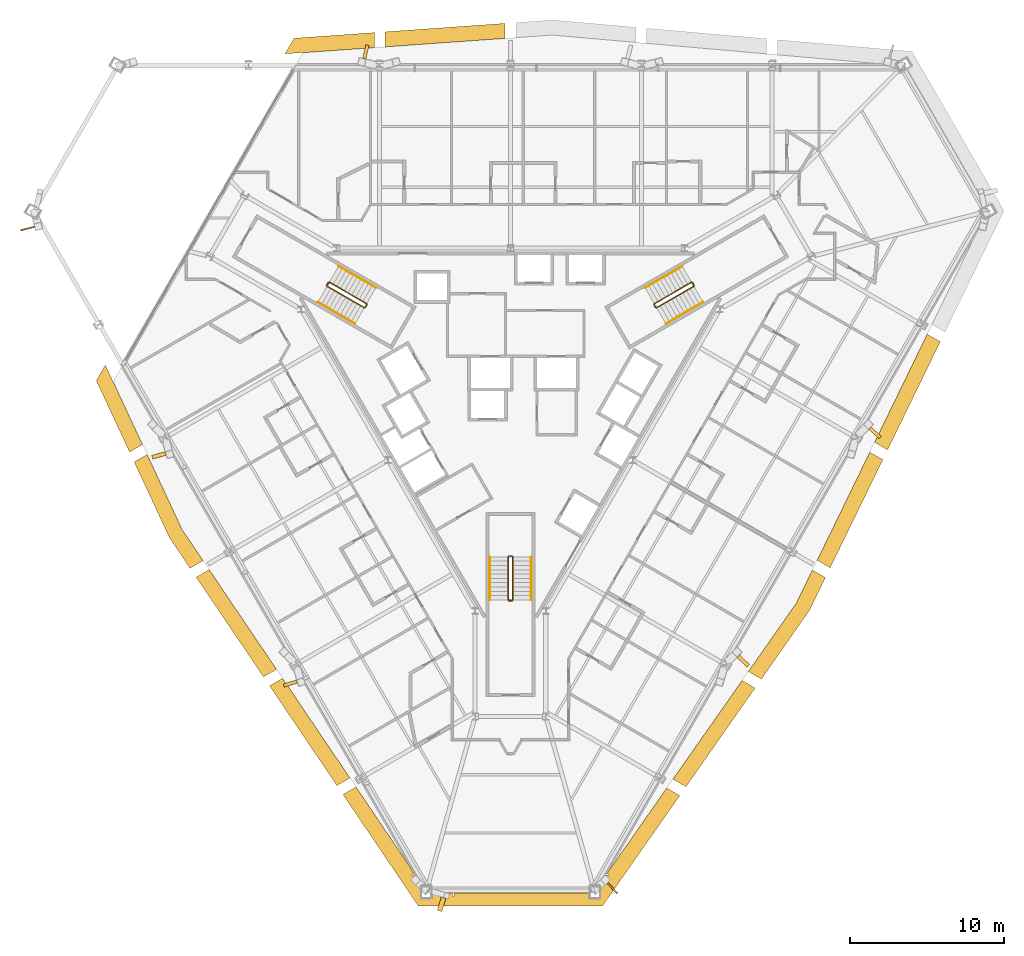
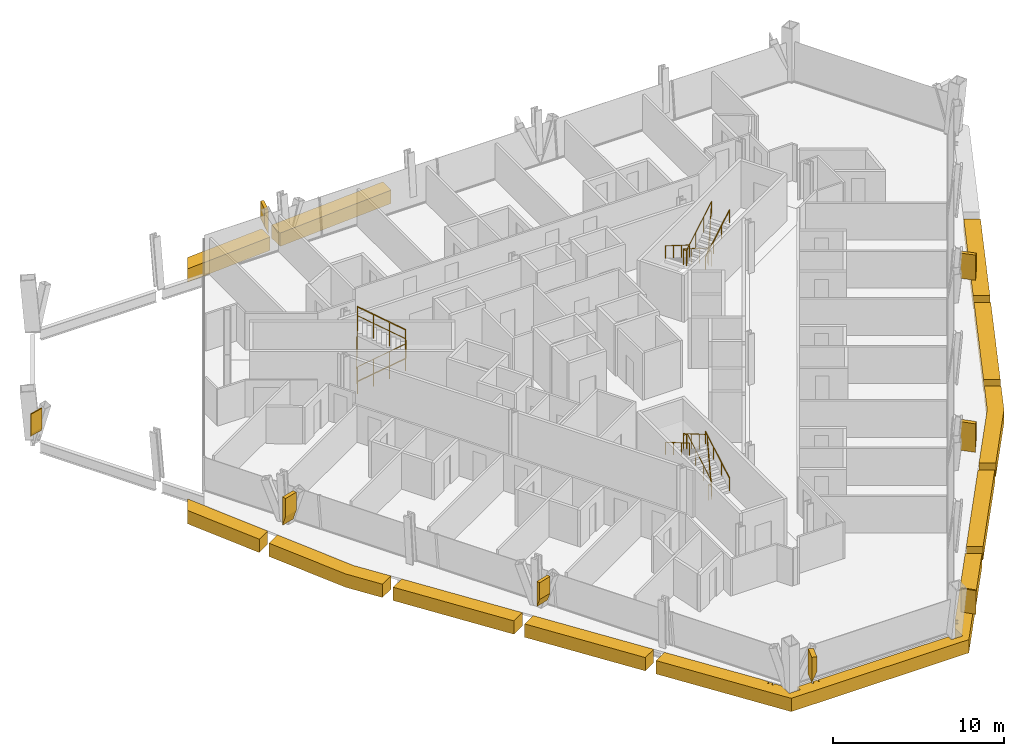
# One storey, part 16 of 17: 19 coverings, 9 railings.
"""IFC4 building model written with IfcOpenShell, lengths in metres."""

from ifc_helpers import new_model, si_unit, direction, frame, origin, origin_2d, place, context, subcontext, project, spatial, polyline, circle, outline, extrude, material, layer, layer_set, type_object, element, save


model = new_model("IFC4")

# Units and contexts
model_context = context("Model", 3, precision=1e-05, world=origin(), true_north=direction((0.0, 1.0)))
body_context = subcontext(model_context, "Body", "Model", "MODEL_VIEW")
ifc_project = project(units=[si_unit("LENGTHUNIT", "METRE"), si_unit("AREAUNIT", "SQUARE_METRE"), si_unit("VOLUMEUNIT", "CUBIC_METRE"), si_unit("PLANEANGLEUNIT", "RADIAN"), si_unit("MASSUNIT", "GRAM", prefix="KILO")], contexts=[model_context])

# Site, building, storey
site_placement = place(None, origin())
site = spatial("IfcSite", under=ifc_project, at=site_placement, CompositionType="ELEMENT")
building_placement = place(site_placement, origin())
building = spatial("IfcBuilding", under=site, at=building_placement, Name="Verrane Prism Tower", CompositionType="ELEMENT")
storey_placement = place(building_placement, frame((0.0, 0.0, 62.0)))
storey = spatial("IfcBuildingStorey", under=building, at=storey_placement, Name="L13", CompositionType="ELEMENT", Elevation=62.0)

# Railings
ifc_material_1 = material(Name="Steel A36 rail and posts, no infill", Category="steel")
railing_type_1 = type_object("IfcRailingType", Name="Stair guard 1100 steel rail and posts", PredefinedType="GUARDRAIL", material=ifc_material_1)
railing_1_placement = place(storey_placement, frame((11.78955078125, 6.97998046875, 0.16357421875)))
element("IfcRailing", 1, at=railing_1_placement, inside=storey, type_object=railing_type_1, Name="Stair 1 guard", PredefinedType="GUARDRAIL", context=body_context, shape_type="SweptSolid", body=[
    extrude(circle(Radius=0.02392578125, at=origin_2d()), frame((0.0, 0.0, 1.076171875), z_axis=(-0.747665513933, -0.431721881032, 0.504591415616), x_axis=(0.500049511043, -0.865996816683, 0.0)), (0.0, 0.0, 1.0), 3.2431640625),
    extrude(circle(Radius=0.02392578125, at=origin_2d()), frame((-2.4248046875, -1.400146484375, 2.71240234375), z_axis=(-0.259601060869, -0.965715946433, 0.0), x_axis=(0.965715946433, -0.259601060869, 0.0)), (0.0, 0.0, 1.0), 0.070556640625),
    extrude(circle(Radius=0.02392578125, at=origin_2d()), frame((-2.443115234375, -1.46826171875, 2.71240234375), z_axis=(0.499158860599, -0.866510491504, 0.0), x_axis=(0.866510491504, 0.499158860599, 0.0)), (0.0, 0.0, 1.0), 0.199951171875),
    extrude(circle(Radius=0.02392578125, at=origin_2d()), frame((-2.34326171875, -1.6416015625, 2.71240234375), z_axis=(0.383552647116, -0.102737316192, 0.917786691313), x_axis=(0.258736085224, 0.965948051503, 0.0)), (0.0, 0.0, 1.0), 0.17822265625),
    extrude(circle(Radius=0.02392578125, at=origin_2d()), frame((-2.27490234375, -1.659912109375, 2.8759765625), z_axis=(0.747665513933, 0.431721881032, 0.504591415616), x_axis=(-0.500049511043, 0.865996816683, 0.0)), (0.0, 0.0, 1.0), 3.2431640625),
    extrude(circle(Radius=0.02392578125, at=origin_2d()), frame((0.14990234375, -0.259765625, 4.5126953125), z_axis=(-0.022593669287, 0.066901613547, -0.997503734436), x_axis=(-0.947430582667, -0.3199613899, 0.0)), (0.0, 0.0, 1.0), 3.609130859375),
    extrude(circle(Radius=0.02392578125, at=origin_2d()), frame((0.068359375, -0.018310546875, 0.91259765625), z_axis=(0.499158860599, -0.866510491504, 0.0), x_axis=(0.866510491504, 0.499158860599, 0.0)), (0.0, 0.0, 1.0), 0.199951171875),
    extrude(circle(Radius=0.02099609375, at=origin_2d()), origin(), (0.0, 0.0, 1.0), 1.052001953125),
    extrude(circle(Radius=0.02099609375, at=origin_2d()), frame((-0.808349609375, -0.466796875, 0.54541015625)), (0.0, 0.0, 1.0), 1.052001953125),
    extrude(circle(Radius=0.02099609375, at=origin_2d()), frame((-1.616455078125, -0.933349609375, 1.091064453125)), (0.0, 0.0, 1.0), 1.052001953125),
    extrude(circle(Radius=0.02099609375, at=origin_2d()), frame((-2.4248046875, -1.400146484375, 1.636474609375)), (0.0, 0.0, 1.0), 1.052001953125),
    extrude(circle(Radius=0.02099609375, at=origin_2d()), frame((-2.443115234375, -1.46826171875, 1.636474609375)), (0.0, 0.0, 1.0), 1.052001953125),
    extrude(circle(Radius=0.02099609375, at=origin_2d()), frame((-2.34326171875, -1.6416015625, 1.636474609375)), (0.0, 0.0, 1.0), 1.052001953125),
    extrude(circle(Radius=0.02099609375, at=origin_2d()), frame((-2.27490234375, -1.659912109375, 1.800048828125)), (0.0, 0.0, 1.0), 1.052001953125),
    extrude(circle(Radius=0.02099609375, at=origin_2d()), frame((-1.466552734375, -1.193115234375, 2.345458984375)), (0.0, 0.0, 1.0), 1.052001953125),
    extrude(circle(Radius=0.02099609375, at=origin_2d()), frame((-0.658447265625, -0.7265625, 2.89111328125)), (0.0, 0.0, 1.0), 1.052001953125),
    extrude(circle(Radius=0.02099609375, at=origin_2d()), frame((0.14990234375, -0.259765625, 3.4365234375)), (0.0, 0.0, 1.0), 1.052001953125),
    extrude(circle(Radius=0.02099609375, at=origin_2d()), frame((0.12939453125, -0.199462890625, 2.53662109375)), (0.0, 0.0, 1.0), 1.052001953125),
    extrude(circle(Radius=0.02099609375, at=origin_2d()), frame((0.109130859375, -0.13916015625, 1.636474609375)), (0.0, 0.0, 1.0), 1.052001953125),
    extrude(circle(Radius=0.02099609375, at=origin_2d()), frame((0.0888671875, -0.07861328125, 0.736328125)), (0.0, 0.0, 1.0), 1.052001953125),
    extrude(circle(Radius=0.02099609375, at=origin_2d()), frame((0.068359375, -0.018310546875, -0.16357421875)), (0.0, 0.0, 1.0), 1.052001953125),
    extrude(circle(Radius=0.02099609375, at=origin_2d()), frame((0.168212890625, -0.191650390625, -0.16357421875)), (0.0, 0.0, 1.0), 1.052001953125),
])
railing_2_placement = place(storey_placement, frame((-11.939453125, 6.72021484375, 0.16357421875)))
element("IfcRailing", 2, at=railing_2_placement, inside=storey, type_object=railing_type_1, Name="Stair 2 guard", PredefinedType="GUARDRAIL", context=body_context, shape_type="SweptSolid", body=[
    extrude(circle(Radius=0.02392578125, at=origin_2d()), frame((0.0, 0.0, 1.076171875), z_axis=(0.747665513933, -0.431721881032, 0.504591415616), x_axis=(0.500049511043, 0.865996816683, 0.0)), (0.0, 0.0, 1.0), 3.2431640625),
    extrude(circle(Radius=0.02392578125, at=origin_2d()), frame((2.4248046875, -1.400146484375, 2.71240234375), z_axis=(0.965948051503, 0.258736085224, 0.0), x_axis=(-0.258736085224, 0.965948051503, 0.0)), (0.0, 0.0, 1.0), 0.07080078125),
    extrude(circle(Radius=0.02392578125, at=origin_2d()), frame((2.4931640625, -1.3818359375, 2.71240234375), z_axis=(0.499158860599, 0.866510491504, 0.0), x_axis=(-0.866510491504, 0.499158860599, 0.0)), (0.0, 0.0, 1.0), 0.199951171875),
    extrude(circle(Radius=0.02392578125, at=origin_2d()), frame((2.593017578125, -1.20849609375, 2.71240234375), z_axis=(-0.102791240646, 0.382383415203, 0.918268416436), x_axis=(-0.965715946433, -0.259601060869, 0.0)), (0.0, 0.0, 1.0), 0.17822265625),
    extrude(circle(Radius=0.02392578125, at=origin_2d()), frame((2.57470703125, -1.140380859375, 2.8759765625), z_axis=(-0.747665513933, 0.431721881032, 0.504591415616), x_axis=(-0.500049511043, -0.865996816683, 0.0)), (0.0, 0.0, 1.0), 3.2431640625),
    extrude(circle(Radius=0.02392578125, at=origin_2d()), frame((0.14990234375, 0.259765625, 4.5126953125), z_axis=(-0.046607763296, -0.053101733218, -0.99750083826), x_axis=(0.751567565678, -0.659656118156, 0.0)), (0.0, 0.0, 1.0), 3.609130859375),
    extrude(circle(Radius=0.02392578125, at=origin_2d()), frame((-0.018310546875, 0.068115234375, 0.91259765625), z_axis=(0.499158860599, 0.866510491504, 0.0), x_axis=(-0.866510491504, 0.499158860599, 0.0)), (0.0, 0.0, 1.0), 0.199951171875),
    extrude(circle(Radius=0.02099609375, at=origin_2d()), origin(), (0.0, 0.0, 1.0), 1.052001953125),
    extrude(circle(Radius=0.02099609375, at=origin_2d()), frame((0.808349609375, -0.466796875, 0.54541015625)), (0.0, 0.0, 1.0), 1.052001953125),
    extrude(circle(Radius=0.02099609375, at=origin_2d()), frame((1.616455078125, -0.933349609375, 1.091064453125)), (0.0, 0.0, 1.0), 1.052001953125),
    extrude(circle(Radius=0.02099609375, at=origin_2d()), frame((2.4248046875, -1.400146484375, 1.636474609375)), (0.0, 0.0, 1.0), 1.052001953125),
    extrude(circle(Radius=0.02099609375, at=origin_2d()), frame((2.4931640625, -1.3818359375, 1.636474609375)), (0.0, 0.0, 1.0), 1.052001953125),
    extrude(circle(Radius=0.02099609375, at=origin_2d()), frame((2.593017578125, -1.20849609375, 1.636474609375)), (0.0, 0.0, 1.0), 1.052001953125),
    extrude(circle(Radius=0.02099609375, at=origin_2d()), frame((2.57470703125, -1.140380859375, 1.800048828125)), (0.0, 0.0, 1.0), 1.052001953125),
    extrude(circle(Radius=0.02099609375, at=origin_2d()), frame((1.766357421875, -0.673583984375, 2.345458984375)), (0.0, 0.0, 1.0), 1.052001953125),
    extrude(circle(Radius=0.02099609375, at=origin_2d()), frame((0.958251953125, -0.20703125, 2.89111328125)), (0.0, 0.0, 1.0), 1.052001953125),
    extrude(circle(Radius=0.02099609375, at=origin_2d()), frame((0.14990234375, 0.259765625, 3.4365234375)), (0.0, 0.0, 1.0), 1.052001953125),
    extrude(circle(Radius=0.02099609375, at=origin_2d()), frame((0.10791015625, 0.2119140625, 2.53662109375)), (0.0, 0.0, 1.0), 1.052001953125),
    extrude(circle(Radius=0.02099609375, at=origin_2d()), frame((0.06591796875, 0.1640625, 1.636474609375)), (0.0, 0.0, 1.0), 1.052001953125),
    extrude(circle(Radius=0.02099609375, at=origin_2d()), frame((0.023681640625, 0.115966796875, 0.736328125)), (0.0, 0.0, 1.0), 1.052001953125),
    extrude(circle(Radius=0.02099609375, at=origin_2d()), frame((-0.018310546875, 0.068115234375, -0.16357421875)), (0.0, 0.0, 1.0), 1.052001953125),
    extrude(circle(Radius=0.02099609375, at=origin_2d()), frame((0.08154296875, 0.241455078125, -0.16357421875)), (0.0, 0.0, 1.0), 1.052001953125),
])
railing_3_placement = place(storey_placement, frame((0.14990234375, -13.699951171875, 0.16357421875)))
element("IfcRailing", 3, at=railing_3_placement, inside=storey, type_object=railing_type_1, Name="Stair 3 guard", PredefinedType="GUARDRAIL", context=body_context, shape_type="SweptSolid", body=[
    extrude(circle(Radius=0.02392578125, at=origin_2d()), frame((0.0, 0.0, 1.076171875), z_axis=(0.0, 0.863360870873, 0.504586966384), x_axis=(-1.0, 0.0, 0.0)), (0.0, 0.0, 1.0), 3.2431640625),
    extrude(circle(Radius=0.02392578125, at=origin_2d()), frame((0.0, 2.800048828125, 2.71240234375), z_axis=(-0.707106781187, 0.707106781187, 0.0), x_axis=(-0.707106781187, -0.707106781187, 0.0)), (0.0, 0.0, 1.0), 0.0703125),
    extrude(circle(Radius=0.02392578125, at=origin_2d()), frame((-0.0498046875, 2.849853515625, 2.71240234375), z_axis=(-1.0, 0.0, 0.0), x_axis=(0.0, -1.0, 0.0)), (0.0, 0.0, 1.0), 0.2001953125),
    extrude(circle(Radius=0.02392578125, at=origin_2d()), frame((-0.25, 2.849853515625, 2.71240234375), z_axis=(-0.279653641804, -0.279653641804, 0.918470294159), x_axis=(0.707106781187, -0.707106781187, 0.0)), (0.0, 0.0, 1.0), 0.177978515625),
    extrude(circle(Radius=0.02392578125, at=origin_2d()), frame((-0.2998046875, 2.800048828125, 2.8759765625), z_axis=(0.0, -0.863360870873, 0.504586966384), x_axis=(1.0, 0.0, 0.0)), (0.0, 0.0, 1.0), 3.2431640625),
    extrude(circle(Radius=0.02392578125, at=origin_2d()), frame((-0.2998046875, 0.0, 4.5126953125), z_axis=(0.069269067181, -0.013867342551, -0.997501625634), x_axis=(0.196300278283, 0.98054382908, 0.0)), (0.0, 0.0, 1.0), 3.609130859375),
    extrude(circle(Radius=0.02392578125, at=origin_2d()), frame((-0.0498046875, -0.050048828125, 0.91259765625), z_axis=(-1.0, 0.0, 0.0), x_axis=(0.0, -1.0, 0.0)), (0.0, 0.0, 1.0), 0.2001953125),
    extrude(circle(Radius=0.02099609375, at=origin_2d()), origin(), (0.0, 0.0, 1.0), 1.052001953125),
    extrude(circle(Radius=0.02099609375, at=origin_2d()), frame((0.0, 0.933349609375, 0.54541015625)), (0.0, 0.0, 1.0), 1.052001953125),
    extrude(circle(Radius=0.02099609375, at=origin_2d()), frame((0.0, 1.86669921875, 1.091064453125)), (0.0, 0.0, 1.0), 1.052001953125),
    extrude(circle(Radius=0.02099609375, at=origin_2d()), frame((0.0, 2.800048828125, 1.636474609375)), (0.0, 0.0, 1.0), 1.052001953125),
    extrude(circle(Radius=0.02099609375, at=origin_2d()), frame((-0.0498046875, 2.849853515625, 1.636474609375)), (0.0, 0.0, 1.0), 1.052001953125),
    extrude(circle(Radius=0.02099609375, at=origin_2d()), frame((-0.25, 2.849853515625, 1.636474609375)), (0.0, 0.0, 1.0), 1.052001953125),
    extrude(circle(Radius=0.02099609375, at=origin_2d()), frame((-0.2998046875, 2.800048828125, 1.800048828125)), (0.0, 0.0, 1.0), 1.052001953125),
    extrude(circle(Radius=0.02099609375, at=origin_2d()), frame((-0.2998046875, 1.86669921875, 2.345458984375)), (0.0, 0.0, 1.0), 1.052001953125),
    extrude(circle(Radius=0.02099609375, at=origin_2d()), frame((-0.2998046875, 0.933349609375, 2.89111328125)), (0.0, 0.0, 1.0), 1.052001953125),
    extrude(circle(Radius=0.02099609375, at=origin_2d()), frame((-0.2998046875, 0.0, 3.4365234375)), (0.0, 0.0, 1.0), 1.052001953125),
    extrude(circle(Radius=0.02099609375, at=origin_2d()), frame((-0.2373046875, -0.012451171875, 2.53662109375)), (0.0, 0.0, 1.0), 1.052001953125),
    extrude(circle(Radius=0.02099609375, at=origin_2d()), frame((-0.1748046875, -0.02490234375, 1.636474609375)), (0.0, 0.0, 1.0), 1.052001953125),
    extrude(circle(Radius=0.02099609375, at=origin_2d()), frame((-0.1123046875, -0.03759765625, 0.736328125)), (0.0, 0.0, 1.0), 1.052001953125),
    extrude(circle(Radius=0.02099609375, at=origin_2d()), frame((-0.0498046875, -0.050048828125, -0.16357421875)), (0.0, 0.0, 1.0), 1.052001953125),
    extrude(circle(Radius=0.02099609375, at=origin_2d()), frame((-0.25, -0.050048828125, -0.16357421875)), (0.0, 0.0, 1.0), 1.052001953125),
])
ifc_material_2 = material(Name="Steel A36 tube", Category="steel")
railing_type_2 = type_object("IfcRailingType", Name="Stair handrail 900 steel tube", PredefinedType="HANDRAIL", material=ifc_material_2)
railing_4_placement = place(storey_placement, frame((11.189453125, 8.01904296875, 0.16357421875)))
element("IfcRailing", 4, at=railing_4_placement, inside=storey, type_object=railing_type_2, Name="Stair 1 handrail", PredefinedType="HANDRAIL", context=body_context, shape_type="SweptSolid", body=[
    extrude(circle(Radius=0.02392578125, at=origin_2d()), frame((0.0, 0.0, 0.8759765625), z_axis=(-0.747689811644, -0.431660630283, 0.504607813879), x_axis=(0.49998411664, -0.866034573852, 0.0)), (0.0, 0.0, 1.0), 3.2431640625),
    extrude(circle(Radius=0.02099609375, at=origin_2d()), origin(), (0.0, 0.0, 1.0), 0.851806640625),
    extrude(circle(Radius=0.02099609375, at=origin_2d()), frame((-0.808349609375, -0.466552734375, 0.54541015625)), (0.0, 0.0, 1.0), 0.851806640625),
    extrude(circle(Radius=0.02099609375, at=origin_2d()), frame((-1.616455078125, -0.933349609375, 1.091064453125)), (0.0, 0.0, 1.0), 0.851806640625),
    extrude(circle(Radius=0.02099609375, at=origin_2d()), frame((-2.4248046875, -1.39990234375, 1.636474609375)), (0.0, 0.0, 1.0), 0.851806640625),
])
railing_5_placement = place(storey_placement, frame((10.11474609375, 4.28076171875, 1.963623046875)))
element("IfcRailing", 5, at=railing_5_placement, inside=storey, type_object=railing_type_2, Name="Stair 1 handrail", PredefinedType="HANDRAIL", context=body_context, shape_type="SweptSolid", body=[
    extrude(circle(Radius=0.02392578125, at=origin_2d()), frame((0.0, 0.0, 0.8759765625), z_axis=(0.747665513933, 0.431721881032, 0.504591415616), x_axis=(-0.500049511043, 0.865996816683, 0.0)), (0.0, 0.0, 1.0), 3.2431640625),
    extrude(circle(Radius=0.02099609375, at=origin_2d()), origin(), (0.0, 0.0, 1.0), 0.851806640625),
    extrude(circle(Radius=0.02099609375, at=origin_2d()), frame((0.808349609375, 0.466796875, 0.54541015625)), (0.0, 0.0, 1.0), 0.851806640625),
    extrude(circle(Radius=0.02099609375, at=origin_2d()), frame((1.616455078125, 0.933349609375, 1.091064453125)), (0.0, 0.0, 1.0), 0.851806640625),
    extrude(circle(Radius=0.02099609375, at=origin_2d()), frame((2.4248046875, 1.400146484375, 1.636474609375)), (0.0, 0.0, 1.0), 0.851806640625),
])
railing_6_placement = place(storey_placement, frame((-12.53955078125, 5.680908203125, 0.16357421875)))
element("IfcRailing", 6, at=railing_6_placement, inside=storey, type_object=railing_type_2, Name="Stair 2 handrail", PredefinedType="HANDRAIL", context=body_context, shape_type="SweptSolid", body=[
    extrude(circle(Radius=0.02392578125, at=origin_2d()), frame((0.0, 0.0, 0.8759765625), z_axis=(0.747665513933, -0.431721881032, 0.504591415616), x_axis=(0.500049511043, 0.865996816683, 0.0)), (0.0, 0.0, 1.0), 3.2431640625),
    extrude(circle(Radius=0.02099609375, at=origin_2d()), origin(), (0.0, 0.0, 1.0), 0.851806640625),
    extrude(circle(Radius=0.02099609375, at=origin_2d()), frame((0.808349609375, -0.466796875, 0.54541015625)), (0.0, 0.0, 1.0), 0.851806640625),
    extrude(circle(Radius=0.02099609375, at=origin_2d()), frame((1.616455078125, -0.933349609375, 1.091064453125)), (0.0, 0.0, 1.0), 0.851806640625),
    extrude(circle(Radius=0.02099609375, at=origin_2d()), frame((2.4248046875, -1.400146484375, 1.636474609375)), (0.0, 0.0, 1.0), 0.851806640625),
])
railing_7_placement = place(storey_placement, frame((-8.7646484375, 6.619140625, 1.963623046875)))
element("IfcRailing", 7, at=railing_7_placement, inside=storey, type_object=railing_type_2, Name="Stair 2 handrail", PredefinedType="HANDRAIL", context=body_context, shape_type="SweptSolid", body=[
    extrude(circle(Radius=0.02392578125, at=origin_2d()), frame((0.0, 0.0, 0.8759765625), z_axis=(-0.747689811644, 0.431660630283, 0.504607813879), x_axis=(-0.49998411664, -0.866034573852, 0.0)), (0.0, 0.0, 1.0), 3.2431640625),
    extrude(circle(Radius=0.02099609375, at=origin_2d()), origin(), (0.0, 0.0, 1.0), 0.851806640625),
    extrude(circle(Radius=0.02099609375, at=origin_2d()), frame((-0.808349609375, 0.466552734375, 0.54541015625)), (0.0, 0.0, 1.0), 0.851806640625),
    extrude(circle(Radius=0.02099609375, at=origin_2d()), frame((-1.616455078125, 0.933349609375, 1.091064453125)), (0.0, 0.0, 1.0), 0.851806640625),
    extrude(circle(Radius=0.02099609375, at=origin_2d()), frame((-2.4248046875, 1.39990234375, 1.636474609375)), (0.0, 0.0, 1.0), 0.851806640625),
])
railing_8_placement = place(storey_placement, frame((1.35009765625, -13.699951171875, 0.16357421875)))
element("IfcRailing", 8, at=railing_8_placement, inside=storey, type_object=railing_type_2, Name="Stair 3 handrail", PredefinedType="HANDRAIL", context=body_context, shape_type="SweptSolid", body=[
    extrude(circle(Radius=0.02392578125, at=origin_2d()), frame((0.0, 0.0, 0.8759765625), z_axis=(0.0, 0.863360870873, 0.504586966384), x_axis=(-1.0, 0.0, 0.0)), (0.0, 0.0, 1.0), 3.2431640625),
    extrude(circle(Radius=0.02099609375, at=origin_2d()), origin(), (0.0, 0.0, 1.0), 0.851806640625),
    extrude(circle(Radius=0.02099609375, at=origin_2d()), frame((0.0, 0.933349609375, 0.54541015625)), (0.0, 0.0, 1.0), 0.851806640625),
    extrude(circle(Radius=0.02099609375, at=origin_2d()), frame((0.0, 1.86669921875, 1.091064453125)), (0.0, 0.0, 1.0), 0.851806640625),
    extrude(circle(Radius=0.02099609375, at=origin_2d()), frame((0.0, 2.800048828125, 1.636474609375)), (0.0, 0.0, 1.0), 0.851806640625),
])
railing_9_placement = place(storey_placement, frame((-1.35009765625, -10.89990234375, 1.963623046875)))
element("IfcRailing", 9, at=railing_9_placement, inside=storey, type_object=railing_type_2, Name="Stair 3 handrail", PredefinedType="HANDRAIL", context=body_context, shape_type="SweptSolid", body=[
    extrude(circle(Radius=0.02392578125, at=origin_2d()), frame((0.0, 0.0, 0.8759765625), z_axis=(0.0, -0.863360870873, 0.504586966384), x_axis=(1.0, 0.0, 0.0)), (0.0, 0.0, 1.0), 3.2431640625),
    extrude(circle(Radius=0.02099609375, at=origin_2d()), origin(), (0.0, 0.0, 1.0), 0.851806640625),
    extrude(circle(Radius=0.02099609375, at=origin_2d()), frame((0.0, -0.933349609375, 0.54541015625)), (0.0, 0.0, 1.0), 0.851806640625),
    extrude(circle(Radius=0.02099609375, at=origin_2d()), frame((0.0, -1.86669921875, 1.091064453125)), (0.0, 0.0, 1.0), 0.851806640625),
    extrude(circle(Radius=0.02099609375, at=origin_2d()), frame((0.0, -2.800048828125, 1.636474609375)), (0.0, 0.0, 1.0), 0.851806640625),
])

# Coverings
ifc_material_3 = material(Name="Warm limestone cladding", Category="masonry")
ifc_layer_1 = layer(ifc_material_3, 0.89990234375)
ifc_layer_set_1 = layer_set([ifc_layer_1], Name="Stone brace fin 900")
covering_type_1 = type_object("IfcCoveringType", Name="Stone brace fin 900", PredefinedType="CLADDING", material=ifc_layer_set_1)
covering_1_placement = place(storey_placement, frame((-9.3095703125, 21.9541015625, 0.849365234375), z_axis=(0.0, 0.0, 1.0), x_axis=(-0.972573284766, 0.232596658959, 0.0)))
element("IfcCovering", 10, at=covering_1_placement, inside=storey, type_object=covering_type_1, Name="Stone brace fin N5 L13", PredefinedType="CLADDING", context=body_context, shape_type="SweptSolid", body=[
    extrude(outline(polyline([(0.214111328125, 1.800537109375), (0.0, 1.800537109375), (0.0, 0.0), (0.214111328125, 0.592529296875), (0.214111328125, 1.800537109375)])), frame((0.0, 0.449951171875, 0.0), z_axis=(0.0, -1.0, 0.0), x_axis=(1.0, 0.0, 0.0)), (0.0, 0.0, 1.0), 0.89990234375),
])
covering_2_placement = place(storey_placement, frame((-31.4443359375, 10.509765625, 1.018798828125), z_axis=(0.0, 0.0, 1.0), x_axis=(0.24776391544, -0.968820438578, 0.0)))
element("IfcCovering", 11, at=covering_2_placement, inside=storey, type_object=covering_type_1, Name="Stone brace fin SW1 L13", PredefinedType="CLADDING", context=body_context, shape_type="SweptSolid", body=[
    extrude(outline(polyline([(0.076904296875, 1.631103515625), (0.0, 1.631103515625), (0.0, 0.0), (0.076904296875, 0.246826171875), (0.076904296875, 1.631103515625)])), frame((0.0, 0.449951171875, 0.0), z_axis=(0.0, -1.0, 0.0), x_axis=(1.0, 0.0, 0.0)), (0.0, 0.0, 1.0), 0.89990234375),
])
covering_3_placement = place(storey_placement, frame((-22.925537109375, -4.17138671875, 0.61865234375), z_axis=(0.0, 0.0, 1.0), x_axis=(0.273174501899, -0.961964495973, 0.0)))
element("IfcCovering", 12, at=covering_3_placement, inside=storey, type_object=covering_type_1, Name="Stone brace fin SW3 L13", PredefinedType="CLADDING", context=body_context, shape_type="SweptSolid", body=[
    extrude(outline(polyline([(0.250244140625, 2.03125), (0.0, 2.03125), (0.0, 0.0), (0.250244140625, 0.74072265625), (0.250244140625, 2.03125)])), frame((0.0, 0.449951171875, 0.0), z_axis=(0.0, -1.0, 0.0), x_axis=(1.0, 0.0, 0.0)), (0.0, 0.0, 1.0), 0.89990234375),
])
covering_4_placement = place(storey_placement, frame((-14.357421875, -19.041259765625, 0.85498046875), z_axis=(0.0, 0.0, 1.0), x_axis=(0.286827794269, -0.957982158725, 0.0)))
element("IfcCovering", 13, at=covering_4_placement, inside=storey, type_object=covering_type_1, Name="Stone brace fin SW5 L13", PredefinedType="CLADDING", context=body_context, shape_type="SweptSolid", body=[
    extrude(outline(polyline([(0.21533203125, 1.794921875), (0.0, 1.794921875), (0.0, 0.0), (0.21533203125, 0.5927734375), (0.21533203125, 1.794921875)])), frame((0.0, 0.449951171875, 0.0), z_axis=(0.0, -1.0, 0.0), x_axis=(1.0, 0.0, 0.0)), (0.0, 0.0, 1.0), 0.89990234375),
])
covering_5_placement = place(storey_placement, frame((6.609375, -32.497314453125, 0.96923828125), z_axis=(0.0, 0.0, 1.0), x_axis=(0.718900320353, 0.695113177401, 0.0)))
element("IfcCovering", 14, at=covering_5_placement, inside=storey, type_object=covering_type_1, Name="Stone brace fin SE1 L13", PredefinedType="CLADDING", context=body_context, shape_type="SweptSolid", body=[
    extrude(outline(polyline([(0.092529296875, 1.6806640625), (0.0, 1.6806640625), (0.0, 0.0), (0.092529296875, 0.29638671875), (0.092529296875, 1.6806640625)])), frame((0.0, 0.449951171875, 0.0), z_axis=(0.0, -1.0, 0.0), x_axis=(1.0, 0.0, 0.0)), (0.0, 0.0, 1.0), 0.89990234375),
])
covering_6_placement = place(storey_placement, frame((15.072509765625, -17.77197265625, 0.615478515625), z_axis=(0.0, 0.0, 1.0), x_axis=(0.700227838944, 0.713919444733, 0.0)))
element("IfcCovering", 15, at=covering_6_placement, inside=storey, type_object=covering_type_1, Name="Stone brace fin SE3 L13", PredefinedType="CLADDING", context=body_context, shape_type="SweptSolid", body=[
    extrude(outline(polyline([(0.24951171875, 2.034423828125), (0.0, 2.034423828125), (0.0, 0.0), (0.24951171875, 0.74072265625), (0.24951171875, 2.034423828125)])), frame((0.0, 0.449951171875, 0.0), z_axis=(0.0, -1.0, 0.0), x_axis=(1.0, 0.0, 0.0)), (0.0, 0.0, 1.0), 0.89990234375),
])
covering_7_placement = place(storey_placement, frame((23.669921875, -2.91064453125, 0.850341796875), z_axis=(0.0, 0.0, 1.0), x_axis=(0.683372628126, 0.730069757714, 0.0)))
element("IfcCovering", 16, at=covering_7_placement, inside=storey, type_object=covering_type_1, Name="Stone brace fin SE5 L13", PredefinedType="CLADDING", context=body_context, shape_type="SweptSolid", body=[
    extrude(outline(polyline([(0.21435546875, 1.799560546875), (0.0, 1.799560546875), (0.0, 0.0), (0.21435546875, 0.592529296875), (0.21435546875, 1.799560546875)])), frame((0.0, 0.449951171875, 0.0), z_axis=(0.0, -1.0, 0.0), x_axis=(1.0, 0.0, 0.0)), (0.0, 0.0, 1.0), 0.89990234375),
])
covering_8_placement = place(storey_placement, frame((-4.63427734375, -33.47119140625, 0.837646484375), z_axis=(0.0, 0.0, 1.0), x_axis=(0.957523830018, -0.288354148483, 0.0)))
element("IfcCovering", 17, at=covering_8_placement, inside=storey, type_object=covering_type_1, Name="Stone brace fin S1 L13", PredefinedType="CLADDING", context=body_context, shape_type="SweptSolid", body=[
    extrude(outline(polyline([(0.311767578125, 1.812255859375), (0.0, 1.812255859375), (0.0, 0.0), (0.311767578125, 0.749267578125), (0.311767578125, 1.812255859375)])), frame((0.0, 0.449951171875, 0.0), z_axis=(0.0, -1.0, 0.0), x_axis=(1.0, 0.0, 0.0)), (0.0, 0.0, 1.0), 0.89990234375),
])
ifc_material_4 = material(Name="Warm limestone cladding", Category="masonry")
ifc_layer_2 = layer(ifc_material_4, 0.449951171875)
ifc_layer_set_2 = layer_set([ifc_layer_2], Name="Stone spandrel band 450")
covering_type_2 = type_object("IfcCoveringType", Name="Stone spandrel band 450", PredefinedType="CLADDING", material=ifc_layer_set_2)
covering_9_placement = place(storey_placement, frame((0.0, 0.0, -0.949951171875)))
element("IfcCovering", 18, at=covering_9_placement, inside=storey, type_object=covering_type_2, Name="Stone spandrel band L13 part 1", PredefinedType="CLADDING", context=body_context, shape_type="SweptSolid", body=[
    extrude(outline(polyline([(10.17578125, -25.9462890625), (6.349365234375, -31.4091796875), (6.282470703125, -31.525390625), (6.4248046875, -31.607666015625), (6.38818359375, -31.670654296875), (6.245849609375, -31.58837890625), (6.14599609375, -31.76171875), (6.2880859375, -31.84375), (6.230224609375, -31.944091796875), (6.088134765625, -31.86181640625), (5.85009765625, -32.274169921875), (5.85009765625, -33.139892578125), (5.090087890625, -33.139892578125), (5.090087890625, -32.793701171875), (-3.687255859375, -32.793701171875), (-3.687255859375, -32.9599609375), (-3.777587890625, -32.9599609375), (-3.777587890625, -32.793701171875), (-4.03662109375, -32.793701171875), (-4.03662109375, -32.9599609375), (-4.1865234375, -32.9599609375), (-4.1865234375, -32.793701171875), (-5.090087890625, -32.793701171875), (-5.090087890625, -33.139892578125), (-5.85009765625, -33.139892578125), (-5.85009765625, -32.274169921875), (-6.088134765625, -31.86181640625), (-6.230224609375, -31.944091796875), (-6.2880859375, -31.84375), (-6.14599609375, -31.76171875), (-6.245849609375, -31.58837890625), (-6.38818359375, -31.670654296875), (-6.4248046875, -31.607666015625), (-6.282470703125, -31.525390625), (-6.531005859375, -31.094482421875), (-10.056396484375, -25.877197265625), (-10.905517578125, -26.367431640625), (-5.99267578125, -33.638671875), (5.982177734375, -33.638671875), (11.026123046875, -26.437255859375), (10.17578125, -25.9462890625)])), origin(), (0.0, 0.0, 1.0), 0.949951171875),
])
covering_10_placement = place(storey_placement, frame((0.0, 0.0, -0.949951171875)))
element("IfcCovering", 19, at=covering_10_placement, inside=storey, type_object=covering_type_2, Name="Stone spandrel band L13 part 3", PredefinedType="CLADDING", context=body_context, shape_type="SweptSolid", body=[
    extrude(outline(polyline([(-16.078125, -18.712158203125), (-15.22900390625, -18.221923828125), (-19.61572265625, -11.7294921875), (-20.465087890625, -12.219482421875), (-16.078125, -18.712158203125)])), origin(), (0.0, 0.0, 1.0), 0.949951171875),
])
covering_11_placement = place(storey_placement, frame((0.0, 0.0, -0.949951171875)))
element("IfcCovering", 20, at=covering_11_placement, inside=storey, type_object=covering_type_2, Name="Stone spandrel band L13 part 4", PredefinedType="CLADDING", context=body_context, shape_type="SweptSolid", body=[
    extrude(outline(polyline([(-10.44921875, -25.2958984375), (-14.8359375, -18.80322265625), (-15.685302734375, -19.293701171875), (-11.29833984375, -25.7861328125), (-10.44921875, -25.2958984375)])), origin(), (0.0, 0.0, 1.0), 0.949951171875),
])
covering_12_placement = place(storey_placement, frame((0.0, 0.0, -0.949951171875)))
element("IfcCovering", 21, at=covering_12_placement, inside=storey, type_object=covering_type_2, Name="Stone spandrel band L13 part 5", PredefinedType="CLADDING", context=body_context, shape_type="SweptSolid", body=[
    extrude(outline(polyline([(15.080078125, -18.944091796875), (10.578857421875, -25.37060546875), (11.42919921875, -25.861572265625), (15.930419921875, -19.435302734375), (15.080078125, -18.944091796875)])), origin(), (0.0, 0.0, 1.0), 0.949951171875),
])
covering_13_placement = place(storey_placement, frame((0.0, 0.0, -0.949951171875)))
element("IfcCovering", 22, at=covering_13_placement, inside=storey, type_object=covering_type_2, Name="Stone spandrel band L13 part 6", PredefinedType="CLADDING", context=body_context, shape_type="SweptSolid", body=[
    extrude(outline(polyline([(19.65869140625, -11.754150390625), (18.61669921875, -13.89501953125), (15.483154296875, -18.36865234375), (16.33349609375, -18.859619140625), (19.462158203125, -14.392822265625), (20.5078125, -12.244384765625), (19.65869140625, -11.754150390625)])), origin(), (0.0, 0.0, 1.0), 0.949951171875),
])
covering_14_placement = place(storey_placement, frame((0.0, 0.0, -0.949951171875)))
element("IfcCovering", 23, at=covering_14_placement, inside=storey, type_object=covering_type_2, Name="Stone spandrel band L13 part 7", PredefinedType="CLADDING", context=body_context, shape_type="SweptSolid", body=[
    extrude(outline(polyline([(23.39501953125, -4.07763671875), (19.9658203125, -11.123046875), (20.81494140625, -11.61328125), (24.244140625, -4.568115234375), (23.39501953125, -4.07763671875)])), origin(), (0.0, 0.0, 1.0), 0.949951171875),
])
covering_15_placement = place(storey_placement, frame((0.0, 0.0, -0.949951171875)))
element("IfcCovering", 24, at=covering_15_placement, inside=storey, type_object=covering_type_2, Name="Stone spandrel band L13 part 8", PredefinedType="CLADDING", context=body_context, shape_type="SweptSolid", body=[
    extrude(outline(polyline([(27.13134765625, 3.5986328125), (23.7021484375, -3.44677734375), (24.551513671875, -3.93701171875), (27.98046875, 3.1083984375), (27.13134765625, 3.5986328125)])), origin(), (0.0, 0.0, 1.0), 0.949951171875),
])
covering_16_placement = place(storey_placement, frame((0.0, 0.0, -0.949951171875)))
element("IfcCovering", 25, at=covering_16_placement, inside=storey, type_object=covering_type_2, Name="Stone spandrel band L13 part 11", PredefinedType="CLADDING", context=body_context, shape_type="SweptSolid", body=[
    extrude(outline(polyline([(-0.35009765625, 22.8525390625), (-0.35009765625, 23.8330078125), (-8.166015625, 23.280029296875), (-8.166015625, 22.299560546875), (-0.35009765625, 22.8525390625)])), origin(), (0.0, 0.0, 1.0), 0.949951171875),
])
covering_17_placement = place(storey_placement, frame((0.0, 0.0, -0.949951171875)))
element("IfcCovering", 26, at=covering_17_placement, inside=storey, type_object=covering_type_2, Name="Stone spandrel band L13 part 12", PredefinedType="CLADDING", context=body_context, shape_type="SweptSolid", body=[
    extrude(outline(polyline([(-20.85791015625, -11.63818359375), (-20.0087890625, -11.14794921875), (-21.3134765625, -9.216796875), (-21.32958984375, -9.224365234375), (-23.657958984375, -4.2294921875), (-24.49951171875, -4.71533203125), (-22.195556640625, -9.658203125), (-20.85791015625, -11.63818359375)])), origin(), (0.0, 0.0, 1.0), 0.949951171875),
])
covering_18_placement = place(storey_placement, frame((0.0, 0.0, -0.949951171875)))
element("IfcCovering", 27, at=covering_18_placement, inside=storey, type_object=covering_type_2, Name="Stone spandrel band L13 part 13", PredefinedType="CLADDING", context=body_context, shape_type="SweptSolid", body=[
    extrude(outline(polyline([(-8.8662109375, 22.25), (-8.8662109375, 23.230712890625), (-14.096923828125, 22.860595703125), (-14.68115234375, 21.8486328125), (-13.49169921875, 21.932861328125), (-13.497802734375, 21.922607421875), (-8.8662109375, 22.25)])), origin(), (0.0, 0.0, 1.0), 0.949951171875),
])
covering_19_placement = place(storey_placement, frame((0.0, 0.0, -0.949951171875)))
element("IfcCovering", 28, at=covering_19_placement, inside=storey, type_object=covering_type_2, Name="Stone spandrel band L13 part 14", PredefinedType="CLADDING", context=body_context, shape_type="SweptSolid", body=[
    extrude(outline(polyline([(-23.954833984375, -3.5927734375), (-26.373779296875, 1.596435546875), (-26.964599609375, 0.572998046875), (-24.79638671875, -4.07861328125), (-23.954833984375, -3.5927734375)])), origin(), (0.0, 0.0, 1.0), 0.949951171875),
])

save(model, "model.ifc")
